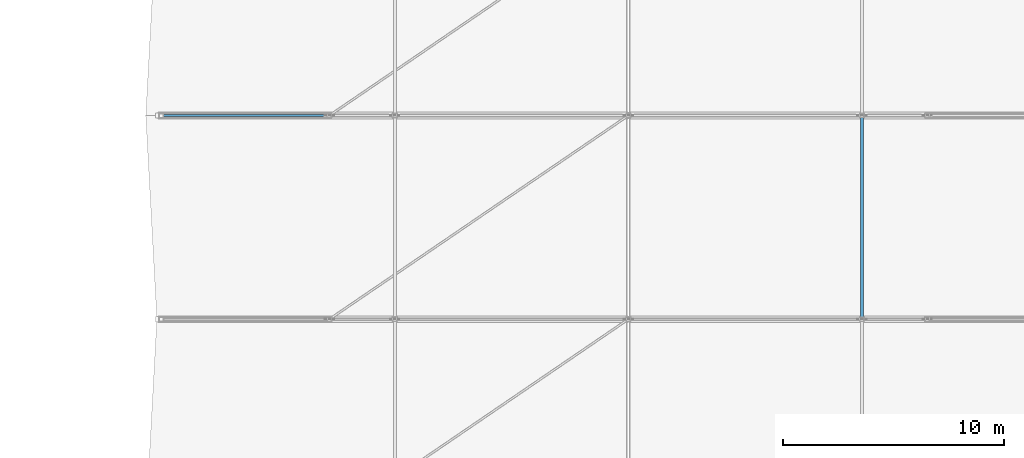
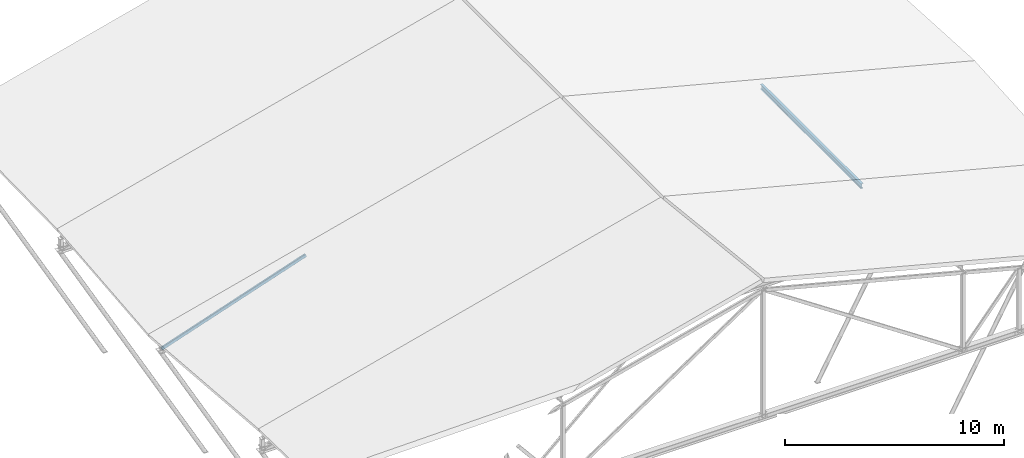
# One storey, part 14 of 56: 2 members.
"""IFC4 building model written with IfcOpenShell, lengths in metres."""

from ifc_helpers import new_model, si_unit, direction, frame, origin, origin_2d, place, context, subcontext, project, spatial, hollow_rectangle, i_section, extrude, material, material_profile, profile_set, type_object, element, save


model = new_model("IFC4")

# Units and contexts
model_context = context("Model", 3, precision=1e-05, world=origin(), true_north=direction((0.0, 1.0)))
body_context = subcontext(model_context, "Body", "Model", "MODEL_VIEW")
ifc_project = project(units=[si_unit("LENGTHUNIT", "METRE"), si_unit("AREAUNIT", "SQUARE_METRE"), si_unit("VOLUMEUNIT", "CUBIC_METRE"), si_unit("PLANEANGLEUNIT", "RADIAN"), si_unit("MASSUNIT", "GRAM", prefix="KILO")], contexts=[model_context])

# Site, building, storey
site_placement = place(None, origin())
site = spatial("IfcSite", under=ifc_project, at=site_placement, CompositionType="ELEMENT")
building_placement = place(site_placement, origin())
building = spatial("IfcBuilding", under=site, at=building_placement, Name="Bozkorgan Art Gallery", CompositionType="ELEMENT")
storey_placement = place(building_placement, frame((0.0, 0.0, 24.0)))
storey = spatial("IfcBuildingStorey", under=building, at=storey_placement, Name="L05", CompositionType="ELEMENT", Elevation=24.0)

# Members
ifc_material = material(Name="Steel S355J2", Category="steel")
ifc_material_profile_1 = material_profile(ifc_material, i_section(OverallWidth=0.135009765625, OverallDepth=0.27001953125, WebThickness=0.006591796875, FlangeThickness=0.01025390625, FilletRadius=0.014892578125, at=origin_2d()), Name="IPE 270")
ifc_profile_set_1 = profile_set([ifc_material_profile_1], Name="Steel S355J2")
member_type_1 = type_object("IfcMemberType", Name="MEMBER-PR-57", PredefinedType="PURLIN", material=ifc_profile_set_1)
member_1_placement = place(storey_placement, frame((98.050048828125, 56.800048828125, 3.736083984375), z_axis=(0.0, 1.0, 0.0), x_axis=(-1.0, 0.0, 0.0)))
element("IfcMember", 1, at=member_1_placement, inside=storey, type_object=member_type_1, Name="ROOF-V4-MAIN roof purlin 2E", PredefinedType="PURLIN", context=body_context, shape_type="SweptSolid", body=[
    extrude(i_section(OverallWidth=0.135009765625, OverallDepth=0.27001953125, WebThickness=0.006591796875, FlangeThickness=0.01025390625, FilletRadius=0.014892578125, at=origin_2d()), origin(), (0.0, 0.0, 1.0), 9.199951171875),
])
ifc_material_profile_2 = material_profile(ifc_material, hollow_rectangle(XDim=0.10009765625, YDim=0.179931640625, WallThickness=0.008056640625, InnerFilletRadius=0.011962890625, OuterFilletRadius=0.02001953125, at=origin_2d()), Name="RHS 180x100x8")
ifc_profile_set_2 = profile_set([ifc_material_profile_2], Name="Steel S355J2")
member_type_2 = type_object("IfcMemberType", Name="MEMBER-TW-22", PredefinedType="BRACE", material=ifc_profile_set_2)
member_2_placement = place(storey_placement, frame((66.39990234375, 66.0, 0.179931640625), z_axis=(0.947753705978, 0.0, 0.319002998112), x_axis=(0.0, 1.0, 0.0)))
element("IfcMember", 2, at=member_2_placement, inside=storey, type_object=member_type_2, Name="ROOF-V4-MAIN roof truss 3 diagonal 1", PredefinedType="BRACE", context=body_context, shape_type="SweptSolid", body=[
    extrude(hollow_rectangle(XDim=0.10009765625, YDim=0.179931640625, WallThickness=0.008056640625, InnerFilletRadius=0.011962890625, OuterFilletRadius=0.02001953125, at=origin_2d()), origin(), (0.0, 0.0, 1.0), 8.01904296875),
])

save(model, "model.ifc")
